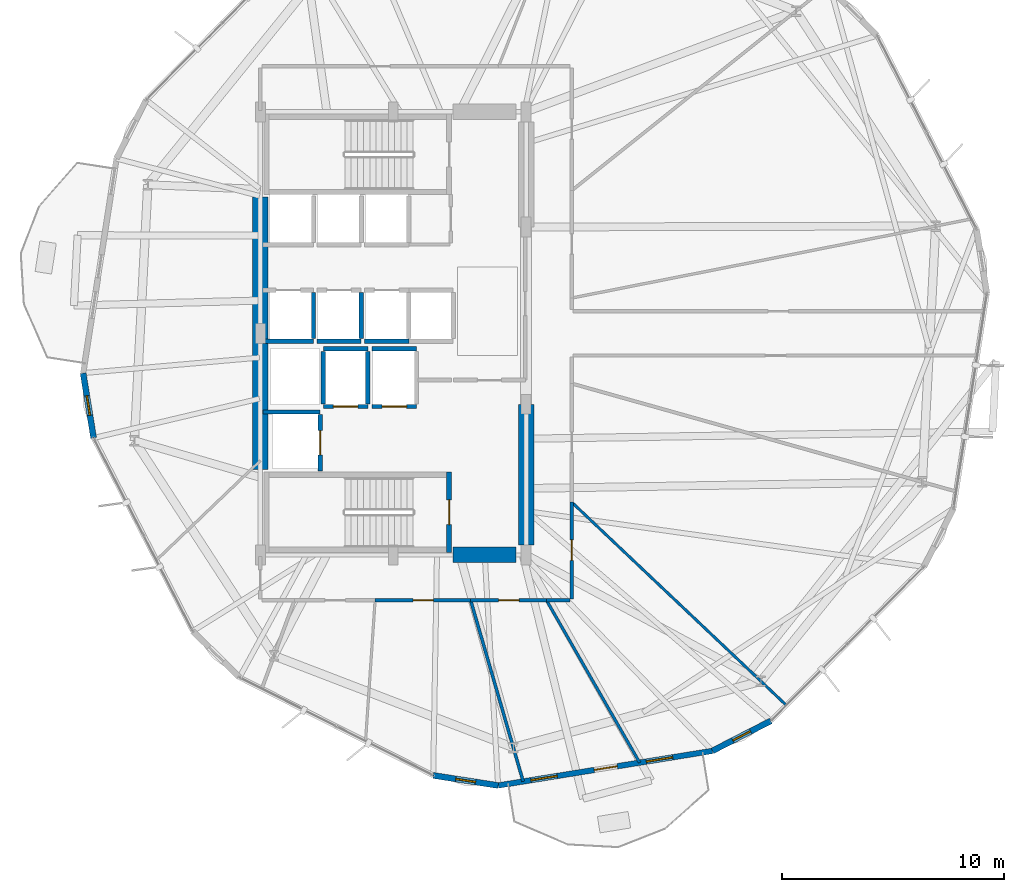
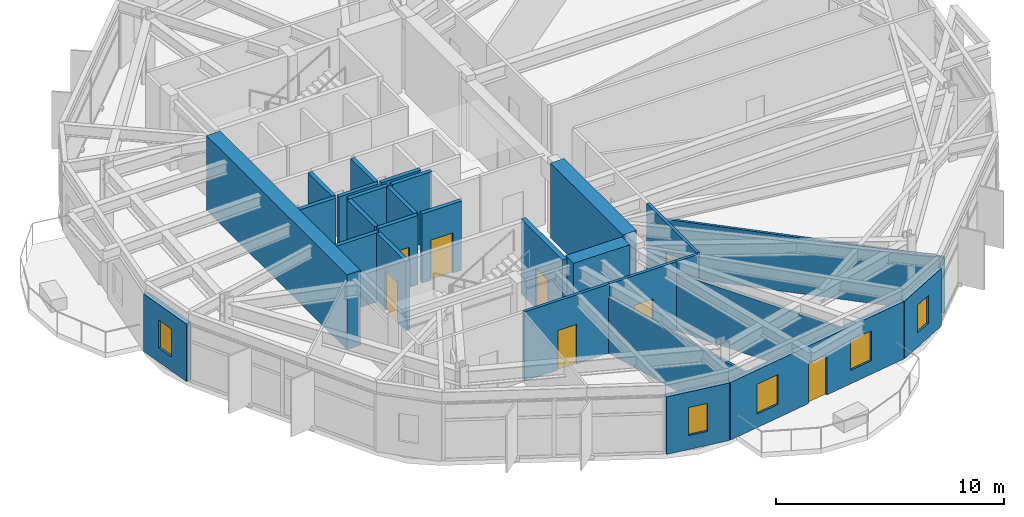
# One storey, part 18 of 23: 28 walls, 8 doors, 5 windows, 13 openings.
"""IFC4 building model written with IfcOpenShell, lengths in metres."""

from ifc_helpers import new_model, si_unit, direction, frame, frame_2d, origin, place, context, subcontext, project, spatial, rectangle, extrude, material, layer, layer_set, type_object, element, fill, save


model = new_model("IFC4")

# Units and contexts
model_context = context("Model", 3, precision=1e-05, world=origin(), true_north=direction((0.0, 1.0)))
body_context = subcontext(model_context, "Body", "Model", "MODEL_VIEW")
ifc_project = project(units=[si_unit("LENGTHUNIT", "METRE"), si_unit("AREAUNIT", "SQUARE_METRE"), si_unit("VOLUMEUNIT", "CUBIC_METRE"), si_unit("PLANEANGLEUNIT", "RADIAN"), si_unit("MASSUNIT", "GRAM", prefix="KILO")], contexts=[model_context])

# Site, building, storey
site_placement = place(None, origin())
site = spatial("IfcSite", under=ifc_project, at=site_placement, CompositionType="ELEMENT")
building_placement = place(site_placement, origin())
building = spatial("IfcBuilding", under=site, at=building_placement, Name="Soratama Intermodal Tower", CompositionType="ELEMENT")
storey_placement = place(building_placement, frame((0.0, 0.0, 62.60009765625)))
storey = spatial("IfcBuildingStorey", under=building, at=storey_placement, Name="L14", CompositionType="ELEMENT", Elevation=62.60009765625)

# Wall, openings, door, windows
ifc_material_1 = material(Name="Concrete f'c 42 MPa", Category="concrete")
ifc_layer_1 = layer(ifc_material_1, 0.25)
ifc_layer_set_1 = layer_set([ifc_layer_1], Name="Concrete f'c 42 MPa")
wall_type_1 = type_object("IfcWallType", Name="EW-BAL-250", PredefinedType="SOLIDWALL", material=ifc_layer_set_1)
wall_1_placement = place(storey_placement, frame((43.33447265625, 4.59228515625, 0.0), z_axis=(0.0, 0.0, 1.0), x_axis=(0.987191297579, 0.159541035424, 0.0)))
wall_1 = element("IfcWall", 1, at=wall_1_placement, inside=storey, type_object=wall_type_1, Name="L14 Terrace Wall F08", PredefinedType="SOLIDWALL", context=body_context, shape_type="SweptSolid", body=[
    extrude(rectangle(XDim=9.7998046875, YDim=0.25, at=frame_2d((4.89990234375, 0.0))), origin(), (0.0, 0.0, 1.0), 3.078857421875),
])
opening_1_placement = place(wall_1_placement, frame((4.39990234375, 0.0, 0.0)))
opening_1 = element("IfcOpeningElement", 2, at=opening_1_placement, cuts=wall_1, Name="Opening ED-5", PredefinedType="OPENING", context=body_context, shape_type="SweptSolid", body=[
    extrude(rectangle(XDim=1.050048828125, YDim=2.14990234375, at=frame_2d((0.52490234375, 1.074951171875))), frame((0.0, 0.135009765625, 0.0), z_axis=(0.0, -1.0, 0.0), x_axis=(1.0, 0.0, 0.0)), (0.0, 0.0, 1.0), 0.27001953125),
])
opening_2_placement = place(wall_1_placement, frame((1.5, 0.0, 0.719970703125)))
opening_2 = element("IfcOpeningElement", 3, at=opening_2_placement, cuts=wall_1, Name="Opening WN-2", PredefinedType="OPENING", context=body_context, shape_type="SweptSolid", body=[
    extrude(rectangle(XDim=1.199951171875, YDim=1.60009765625, at=frame_2d((0.60009765625, 0.800048828125))), frame((0.0, 0.135009765625, 0.0), z_axis=(0.0, -1.0, 0.0), x_axis=(1.0, 0.0, 0.0)), (0.0, 0.0, 1.0), 0.27001953125),
])
opening_3_placement = place(wall_1_placement, frame((6.780029296875, 0.0, 0.719970703125)))
opening_3 = element("IfcOpeningElement", 4, at=opening_3_placement, cuts=wall_1, Name="Opening WN-2", PredefinedType="OPENING", context=body_context, shape_type="SweptSolid", body=[
    extrude(rectangle(XDim=1.199951171875, YDim=1.60009765625, at=frame_2d((0.60009765625, 0.800048828125))), frame((0.0, 0.135009765625, 0.0), z_axis=(0.0, -1.0, 0.0), x_axis=(1.0, 0.0, 0.0)), (0.0, 0.0, 1.0), 0.27001953125),
])
ifc_material_2 = material(Name="Double-glazed aluminium door", Category="aluminium")
door_type_1 = type_object("IfcDoorType", Name="DR-BAL-1050", OperationType="NOTDEFINED", PredefinedType="DOOR", material=ifc_material_2)
door_1_placement = place(opening_1_placement, origin())
door_1 = element("IfcDoor", 5, at=door_1_placement, inside=storey, type_object=door_type_1, Name="L14 Balcony Door F08", OperationType="SINGLE_SWING_RIGHT", OverallHeight=2.14990234375, OverallWidth=1.050048828125, PredefinedType="DOOR", context=body_context, shape_type="SweptSolid", body=[
    extrude(rectangle(XDim=1.050048828125, YDim=2.14990234375, at=frame_2d((0.52490234375, 1.074951171875))), frame((0.0, 0.02490234375, 0.0), z_axis=(0.0, -1.0, 0.0), x_axis=(1.0, 0.0, 0.0)), (0.0, 0.0, 1.0), 0.050048828125),
])
fill(opening_1, door_1)
ifc_material_3 = material(Name="Double-glazed aluminium window", Category="aluminium")
window_type_1 = type_object("IfcWindowType", Name="WN-FAC-1200", PartitioningType="SINGLE_PANEL", PredefinedType="WINDOW", material=ifc_material_3)
window_1_placement = place(opening_2_placement, origin())
window_1 = element("IfcWindow", 6, at=window_1_placement, inside=storey, type_object=window_type_1, Name="L14 Window A F08", OverallHeight=1.60009765625, OverallWidth=1.199951171875, PartitioningType="SINGLE_PANEL", PredefinedType="WINDOW", context=body_context, shape_type="SweptSolid", body=[
    extrude(rectangle(XDim=1.199951171875, YDim=1.60009765625, at=frame_2d((0.60009765625, 0.800048828125))), frame((0.0, 0.030029296875, 0.0), z_axis=(0.0, -1.0, 0.0), x_axis=(1.0, 0.0, 0.0)), (0.0, 0.0, 1.0), 0.06005859375),
])
fill(opening_2, window_1)
window_2_placement = place(opening_3_placement, origin())
window_2 = element("IfcWindow", 7, at=window_2_placement, inside=storey, type_object=window_type_1, Name="L14 Window B F08", OverallHeight=1.60009765625, OverallWidth=1.199951171875, PartitioningType="SINGLE_PANEL", PredefinedType="WINDOW", context=body_context, shape_type="SweptSolid", body=[
    extrude(rectangle(XDim=1.199951171875, YDim=1.60009765625, at=frame_2d((0.60009765625, 0.800048828125))), frame((0.0, 0.030029296875, 0.0), z_axis=(0.0, -1.0, 0.0), x_axis=(1.0, 0.0, 0.0)), (0.0, 0.0, 1.0), 0.06005859375),
])
fill(opening_3, window_2)

# Wall, opening, window
ifc_material_4 = material(Name="Concrete f'c 42 MPa", Category="concrete")
ifc_layer_2 = layer(ifc_material_4, 0.27001953125)
ifc_layer_set_2 = layer_set([ifc_layer_2], Name="Concrete f'c 42 MPa")
wall_type_2 = type_object("IfcWallType", Name="EW-CRN-270", PredefinedType="SOLIDWALL", material=ifc_layer_set_2)
wall_2_placement = place(storey_placement, frame((24.603271484375, 23.206298828125, 0.0), z_axis=(0.0, 0.0, 1.0), x_axis=(0.159485992922, -0.987200191482, 0.0)))
wall_2 = element("IfcWall", 8, at=wall_2_placement, inside=storey, type_object=wall_type_2, Name="L14 Corner Closure Wall 05", PredefinedType="SOLIDWALL", context=body_context, shape_type="SweptSolid", body=[
    extrude(rectangle(XDim=2.966796875, YDim=0.27001953125, at=frame_2d((1.4833984375, 0.0))), origin(), (0.0, 0.0, 1.0), 3.078857421875),
])
opening_4_placement = place(wall_2_placement, frame((1.033203125, 0.0, 0.75)))
opening_4 = element("IfcOpeningElement", 9, at=opening_4_placement, cuts=wall_2, Name="Opening WN-6", PredefinedType="OPENING", context=body_context, shape_type="SweptSolid", body=[
    extrude(rectangle(XDim=0.89990234375, YDim=1.5, at=frame_2d((0.449951171875, 0.75))), frame((0.0, 0.14501953125, 0.0), z_axis=(0.0, -1.0, 0.0), x_axis=(1.0, 0.0, 0.0)), (0.0, 0.0, 1.0), 0.2900390625),
])
ifc_material_5 = material(Name="Double-glazed aluminium window", Category="aluminium")
window_type_2 = type_object("IfcWindowType", Name="WN-FAC-900", PartitioningType="SINGLE_PANEL", PredefinedType="WINDOW", material=ifc_material_5)
window_3_placement = place(opening_4_placement, origin())
window_3 = element("IfcWindow", 10, at=window_3_placement, inside=storey, type_object=window_type_2, Name="L14 Corner Window 05", OverallHeight=1.5, OverallWidth=0.89990234375, PartitioningType="SINGLE_PANEL", PredefinedType="WINDOW", context=body_context, shape_type="SweptSolid", body=[
    extrude(rectangle(XDim=0.89990234375, YDim=1.5, at=frame_2d((0.449951171875, 0.75))), frame((0.0, 0.030029296875, 0.0), z_axis=(0.0, -1.0, 0.0), x_axis=(1.0, 0.0, 0.0)), (0.0, 0.0, 1.0), 0.06005859375),
])
fill(opening_4, window_3)

wall_3_placement = place(storey_placement, frame((40.403076171875, 5.047119140625, 0.0), z_axis=(0.0, 0.0, 1.0), x_axis=(0.988175838345, -0.153324859402, 0.0)))
wall_3 = element("IfcWall", 11, at=wall_3_placement, inside=storey, type_object=wall_type_2, Name="L14 Corner Closure Wall 07", PredefinedType="SOLIDWALL", context=body_context, shape_type="SweptSolid", body=[
    extrude(rectangle(XDim=2.966552734375, YDim=0.27001953125, at=frame_2d((1.4833984375, 0.0))), origin(), (0.0, 0.0, 1.0), 3.078857421875),
])
opening_5_placement = place(wall_3_placement, frame((1.033203125, 0.0, 0.75)))
opening_5 = element("IfcOpeningElement", 12, at=opening_5_placement, cuts=wall_3, Name="Opening WN-6", PredefinedType="OPENING", context=body_context, shape_type="SweptSolid", body=[
    extrude(rectangle(XDim=0.89990234375, YDim=1.5, at=frame_2d((0.449951171875, 0.75))), frame((0.0, 0.14501953125, 0.0), z_axis=(0.0, -1.0, 0.0), x_axis=(1.0, 0.0, 0.0)), (0.0, 0.0, 1.0), 0.2900390625),
])
window_4_placement = place(opening_5_placement, origin())
window_4 = element("IfcWindow", 13, at=window_4_placement, inside=storey, type_object=window_type_2, Name="L14 Corner Window 07", OverallHeight=1.5, OverallWidth=0.89990234375, PartitioningType="SINGLE_PANEL", PredefinedType="WINDOW", context=body_context, shape_type="SweptSolid", body=[
    extrude(rectangle(XDim=0.89990234375, YDim=1.5, at=frame_2d((0.449951171875, 0.75))), frame((0.0, 0.030029296875, 0.0), z_axis=(0.0, -1.0, 0.0), x_axis=(1.0, 0.0, 0.0)), (0.0, 0.0, 1.0), 0.06005859375),
])
fill(opening_5, window_4)

wall_4_placement = place(storey_placement, frame((53.0087890625, 6.15576171875, 0.0), z_axis=(0.0, 0.0, 1.0), x_axis=(0.889603167839, 0.456734281361, 0.0)))
wall_4 = element("IfcWall", 14, at=wall_4_placement, inside=storey, type_object=wall_type_2, Name="L14 Corner Closure Wall 08", PredefinedType="SOLIDWALL", context=body_context, shape_type="SweptSolid", body=[
    extrude(rectangle(XDim=2.966552734375, YDim=0.27001953125, at=frame_2d((1.4833984375, 0.0))), origin(), (0.0, 0.0, 1.0), 3.078857421875),
])
opening_6_placement = place(wall_4_placement, frame((1.033203125, 0.0, 0.75)))
opening_6 = element("IfcOpeningElement", 15, at=opening_6_placement, cuts=wall_4, Name="Opening WN-6", PredefinedType="OPENING", context=body_context, shape_type="SweptSolid", body=[
    extrude(rectangle(XDim=0.89990234375, YDim=1.5, at=frame_2d((0.449951171875, 0.75))), frame((0.0, 0.14501953125, 0.0), z_axis=(0.0, -1.0, 0.0), x_axis=(1.0, 0.0, 0.0)), (0.0, 0.0, 1.0), 0.2900390625),
])
window_5_placement = place(opening_6_placement, origin())
window_5 = element("IfcWindow", 16, at=window_5_placement, inside=storey, type_object=window_type_2, Name="L14 Corner Window 08", OverallHeight=1.5, OverallWidth=0.89990234375, PartitioningType="SINGLE_PANEL", PredefinedType="WINDOW", context=body_context, shape_type="SweptSolid", body=[
    extrude(rectangle(XDim=0.89990234375, YDim=1.5, at=frame_2d((0.449951171875, 0.75))), frame((0.0, 0.030029296875, 0.0), z_axis=(0.0, -1.0, 0.0), x_axis=(1.0, 0.0, 0.0)), (0.0, 0.0, 1.0), 0.06005859375),
])
fill(opening_6, window_5)

# Wall, opening, door
ifc_material_6 = material(Name="Fire-rated gypsum stud partition", Category="concrete")
ifc_layer_3 = layer(ifc_material_6, 0.14990234375)
ifc_layer_set_3 = layer_set([ifc_layer_3], Name="Fire-rated gypsum stud partition")
wall_type_3 = type_object("IfcWallType", Name="IW-PART-R150", PredefinedType="PARTITIONING", material=ifc_layer_set_3)
wall_5_placement = place(storey_placement, frame((46.64990234375, 17.385009765625, 0.0), z_axis=(0.0, 0.0, 1.0), x_axis=(0.0, -1.0, 0.0)))
wall_5 = element("IfcWall", 17, at=wall_5_placement, inside=storey, type_object=wall_type_3, Name="L14 Partition W-L14-TP017", PredefinedType="PARTITIONING", context=body_context, shape_type="SweptSolid", body=[
    extrude(rectangle(XDim=4.364990234375, YDim=0.14990234375, at=frame_2d((2.1826171875, 0.0))), origin(), (0.0, 0.0, 1.0), 3.699951171875),
])
opening_7_placement = place(wall_5_placement, frame((1.7080078125, 0.0, 0.0)))
opening_7 = element("IfcOpeningElement", 18, at=opening_7_placement, cuts=wall_5, Name="Opening ID-6", PredefinedType="OPENING", context=body_context, shape_type="SweptSolid", body=[
    extrude(rectangle(XDim=0.919921875, YDim=2.1201171875, at=frame_2d((0.4599609375, 1.06005859375))), frame((0.0, 0.0849609375, 0.0), z_axis=(0.0, -1.0, 0.0), x_axis=(1.0, 0.0, 0.0)), (0.0, 0.0, 1.0), 0.169921875),
])
ifc_material_7 = material(Name="Solid hardwood acoustic door", Category="wood")
door_type_2 = type_object("IfcDoorType", Name="DR-ROOM-920", OperationType="NOTDEFINED", PredefinedType="DOOR", material=ifc_material_7)
door_2_placement = place(opening_7_placement, origin())
door_2 = element("IfcDoor", 19, at=door_2_placement, inside=storey, type_object=door_type_2, Name="L14 Door D-L14-TP008", OperationType="SINGLE_SWING_LEFT", OverallHeight=2.1201171875, OverallWidth=0.919921875, PredefinedType="DOOR", context=body_context, shape_type="SweptSolid", body=[
    extrude(rectangle(XDim=0.919921875, YDim=2.1201171875, at=frame_2d((0.4599609375, 1.06005859375))), frame((0.0, 0.02490234375, 0.0), z_axis=(0.0, -1.0, 0.0), x_axis=(1.0, 0.0, 0.0)), (0.0, 0.0, 1.0), 0.050048828125),
])
fill(opening_7, door_2)

wall_6_placement = place(storey_placement, frame((42.093994140625, 12.949951171875, 0.0), z_axis=(0.0, 0.0, 1.0), x_axis=(-1.0, 0.0, 0.0)))
wall_6 = element("IfcWall", 20, at=wall_6_placement, inside=storey, type_object=wall_type_3, Name="L14 Partition W-L14-TP018", PredefinedType="PARTITIONING", context=body_context, shape_type="SweptSolid", body=[
    extrude(rectangle(XDim=4.31298828125, YDim=0.14990234375, at=frame_2d((2.156494140625, 0.0))), origin(), (0.0, 0.0, 1.0), 3.699951171875),
])
opening_8_placement = place(wall_6_placement, frame((1.681884765625, 0.0, 0.0)))
opening_8 = element("IfcOpeningElement", 21, at=opening_8_placement, cuts=wall_6, Name="Opening ID-6", PredefinedType="OPENING", context=body_context, shape_type="SweptSolid", body=[
    extrude(rectangle(XDim=0.919921875, YDim=2.1201171875, at=frame_2d((0.4599609375, 1.06005859375))), frame((0.0, 0.0849609375, 0.0), z_axis=(0.0, -1.0, 0.0), x_axis=(1.0, 0.0, 0.0)), (0.0, 0.0, 1.0), 0.169921875),
])
door_3_placement = place(opening_8_placement, origin())
door_3 = element("IfcDoor", 22, at=door_3_placement, inside=storey, type_object=door_type_2, Name="L14 Door D-L14-TP009", OperationType="SINGLE_SWING_RIGHT", OverallHeight=2.1201171875, OverallWidth=0.919921875, PredefinedType="DOOR", context=body_context, shape_type="SweptSolid", body=[
    extrude(rectangle(XDim=0.919921875, YDim=2.1201171875, at=frame_2d((0.4599609375, 1.06005859375))), frame((0.0, 0.02490234375, 0.0), z_axis=(0.0, -1.0, 0.0), x_axis=(1.0, 0.0, 0.0)), (0.0, 0.0, 1.0), 0.050048828125),
])
fill(opening_8, door_3)

wall_7_placement = place(storey_placement, frame((45.51708984375, 12.949951171875, 0.0), z_axis=(0.0, 0.0, 1.0), x_axis=(-1.0, 0.0, 0.0)))
wall_7 = element("IfcWall", 23, at=wall_7_placement, inside=storey, type_object=wall_type_3, Name="L14 Partition W-L14-TP021", PredefinedType="PARTITIONING", context=body_context, shape_type="SweptSolid", body=[
    extrude(rectangle(XDim=3.423095703125, YDim=0.14990234375, at=frame_2d((1.71142578125, 0.0))), origin(), (0.0, 0.0, 1.0), 3.699951171875),
])
opening_9_placement = place(wall_7_placement, frame((1.237060546875, 0.0, 0.0)))
opening_9 = element("IfcOpeningElement", 24, at=opening_9_placement, cuts=wall_7, Name="Opening ID-6", PredefinedType="OPENING", context=body_context, shape_type="SweptSolid", body=[
    extrude(rectangle(XDim=0.919921875, YDim=2.1201171875, at=frame_2d((0.4599609375, 1.06005859375))), frame((0.0, 0.0849609375, 0.0), z_axis=(0.0, -1.0, 0.0), x_axis=(1.0, 0.0, 0.0)), (0.0, 0.0, 1.0), 0.169921875),
])
door_4_placement = place(opening_9_placement, origin())
door_4 = element("IfcDoor", 25, at=door_4_placement, inside=storey, type_object=door_type_2, Name="L14 Door D-L14-TP011", OperationType="SINGLE_SWING_RIGHT", OverallHeight=2.1201171875, OverallWidth=0.919921875, PredefinedType="DOOR", context=body_context, shape_type="SweptSolid", body=[
    extrude(rectangle(XDim=0.919921875, YDim=2.1201171875, at=frame_2d((0.4599609375, 1.06005859375))), frame((0.0, 0.02490234375, 0.0), z_axis=(0.0, -1.0, 0.0), x_axis=(1.0, 0.0, 0.0)), (0.0, 0.0, 1.0), 0.050048828125),
])
fill(opening_9, door_4)

# Walls
wall_8_placement = place(storey_placement, frame((46.580078125, 12.949951171875, 0.0), z_axis=(0.0, 0.0, 1.0), x_axis=(-1.0, 0.0, 0.0)))
element("IfcWall", 26, at=wall_8_placement, inside=storey, type_object=wall_type_3, Name="L14 Partition W-L14-TP031", PredefinedType="PARTITIONING", context=body_context, shape_type="SweptSolid", body=[
    extrude(rectangle(XDim=1.06298828125, YDim=0.14990234375, at=frame_2d((0.531494140625, 0.0))), origin(), (0.0, 0.0, 1.0), 3.699951171875),
])
ifc_material_8 = material(Name="Fire-rated gypsum stud partition", Category="concrete")
ifc_layer_4 = layer(ifc_material_8, 0.1201171875)
ifc_layer_set_4 = layer_set([ifc_layer_4], Name="Fire-rated gypsum stud partition")
wall_type_4 = type_object("IfcWallType", Name="IW-PART-S120", PredefinedType="PARTITIONING", material=ifc_layer_set_4)
wall_9_placement = place(storey_placement, frame((46.64990234375, 17.385009765625, 0.0), z_axis=(0.0, 0.0, 1.0), x_axis=(0.726390421285, -0.68728229707, 0.0)))
element("IfcWall", 27, at=wall_9_placement, inside=storey, type_object=wall_type_4, Name="L14 Partition W-L14-TP006", PredefinedType="PARTITIONING", context=body_context, shape_type="SweptSolid", body=[
    extrude(rectangle(XDim=13.346923828125, YDim=0.1201171875, at=frame_2d((6.67333984375, 0.0))), origin(), (0.0, 0.0, 1.0), 2.994873046875),
])
ifc_material_9 = material(Name="Fire-rated gypsum stud partition", Category="concrete")
ifc_layer_5 = layer(ifc_material_9, 0.1298828125)
ifc_layer_set_5 = layer_set([ifc_layer_5], Name="Fire-rated gypsum stud partition")
wall_type_5 = type_object("IfcWallType", Name="IW-PART-S130", PredefinedType="PARTITIONING", material=ifc_layer_set_5)
wall_10_placement = place(storey_placement, frame((45.51708984375, 12.949951171875, 0.0), z_axis=(0.0, 0.0, 1.0), x_axis=(0.497846985281, -0.867264884131, 0.0)))
element("IfcWall", 28, at=wall_10_placement, inside=storey, type_object=wall_type_5, Name="L14 Partition W-L14-TP010", PredefinedType="PARTITIONING", context=body_context, shape_type="SweptSolid", body=[
    extrude(rectangle(XDim=8.446044921875, YDim=0.1298828125, at=frame_2d((4.22314453125, 0.0))), origin(), (0.0, 0.0, 1.0), 3.073974609375),
])
ifc_material_10 = material(Name="Fire-rated gypsum stud partition", Category="concrete")
ifc_layer_6 = layer(ifc_material_10, 0.139892578125)
ifc_layer_set_6 = layer_set([ifc_layer_6], Name="Fire-rated gypsum stud partition")
wall_type_6 = type_object("IfcWallType", Name="IW-PART-S140", PredefinedType="PARTITIONING", material=ifc_layer_set_6)
wall_11_placement = place(storey_placement, frame((42.093994140625, 12.949951171875, 0.0), z_axis=(0.0, 0.0, 1.0), x_axis=(0.278454336149, -0.960449469092, 0.0)))
element("IfcWall", 29, at=wall_11_placement, inside=storey, type_object=wall_type_6, Name="L14 Partition W-L14-TP009", PredefinedType="PARTITIONING", context=body_context, shape_type="SweptSolid", body=[
    extrude(rectangle(XDim=8.51171875, YDim=0.139892578125, at=frame_2d((4.255859375, 0.0))), origin(), (0.0, 0.0, 1.0), 2.994873046875),
])

# Wall, opening, door
ifc_material_11 = material(Name="Concrete f'c 42 MPa", Category="concrete")
ifc_layer_7 = layer(ifc_material_11, 0.199951171875)
ifc_layer_set_7 = layer_set([ifc_layer_7], Name="Concrete f'c 42 MPa")
wall_type_7 = type_object("IfcWallType", Name="IW-SHAFT-200", PredefinedType="SOLIDWALL", material=ifc_layer_set_7)
wall_12_placement = place(storey_placement, frame((35.449951171875, 21.699951171875, 0.0), z_axis=(0.0, 0.0, 1.0), x_axis=(1.0, 0.0, 0.0)))
wall_12 = element("IfcWall", 30, at=wall_12_placement, inside=storey, type_object=wall_type_7, Name="L14 FFL-1 Hoistway Wall S", PredefinedType="SOLIDWALL", context=body_context, shape_type="SweptSolid", body=[
    extrude(rectangle(XDim=2.0, YDim=0.199951171875, at=frame_2d((1.0, 0.0))), origin(), (0.0, 0.0, 1.0), 3.699951171875),
])
opening_10_placement = place(wall_12_placement, frame((0.449951171875, 0.0, 0.0)))
opening_10 = element("IfcOpeningElement", 31, at=opening_10_placement, cuts=wall_12, Name="Opening LD-1", PredefinedType="OPENING", context=body_context, shape_type="SweptSolid", body=[
    extrude(rectangle(XDim=1.10009765625, YDim=2.14990234375, at=frame_2d((0.550048828125, 1.074951171875))), frame((0.0, 0.10986328125, 0.0), z_axis=(0.0, -1.0, 0.0), x_axis=(1.0, 0.0, 0.0)), (0.0, 0.0, 1.0), 0.219970703125),
])
ifc_material_12 = material(Name="Steel fire door", Category="steel")
door_type_3 = type_object("IfcDoorType", Name="DR-LIFT-SLIDE", OperationType="NOTDEFINED", PredefinedType="DOOR", material=ifc_material_12)
door_5_placement = place(opening_10_placement, origin())
door_5 = element("IfcDoor", 32, at=door_5_placement, inside=storey, type_object=door_type_3, Name="L14 FFL-1 Sliding Landing Door", OperationType="SLIDING_TO_LEFT", OverallHeight=2.14990234375, OverallWidth=1.10009765625, PredefinedType="DOOR", context=body_context, shape_type="SweptSolid", body=[
    extrude(rectangle(XDim=1.10009765625, YDim=2.14990234375, at=frame_2d((0.550048828125, 1.074951171875))), frame((0.0, 0.02490234375, 0.0), z_axis=(0.0, -1.0, 0.0), x_axis=(1.0, 0.0, 0.0)), (0.0, 0.0, 1.0), 0.050048828125),
])
fill(opening_10, door_5)

# Walls
wall_13_placement = place(storey_placement, frame((35.449951171875, 24.300048828125, 0.0), z_axis=(0.0, 0.0, 1.0), x_axis=(1.0, 0.0, 0.0)))
element("IfcWall", 33, at=wall_13_placement, inside=storey, type_object=wall_type_7, Name="L14 FFL-1 Hoistway Wall N", PredefinedType="SOLIDWALL", context=body_context, shape_type="SweptSolid", body=[
    extrude(rectangle(XDim=2.0, YDim=0.199951171875, at=frame_2d((1.0, 0.0))), origin(), (0.0, 0.0, 1.0), 3.699951171875),
])
for number, where, z_axis, x_axis, name in (
    (34, (35.449951171875, 21.81005859375, 0.0), (0.0, 0.0, 1.0), (0.0, 1.0, 0.0), "L14 FFL-1 Hoistway Wall W"),
    (35, (37.449951171875, 21.81005859375, 0.0), (0.0, 0.0, 1.0), (0.0, 1.0, 0.0), "L14 FFL-1 Hoistway Wall E"),
):
    element("IfcWall", number, at=place(storey_placement, frame(where, z_axis=z_axis, x_axis=x_axis)), inside=storey, type_object=wall_type_7, Name=name, PredefinedType="SOLIDWALL", context=body_context, shape_type="SweptSolid", body=[
        extrude(rectangle(XDim=2.3798828125, YDim=0.199951171875, at=frame_2d((1.18994140625, 0.0))), origin(), (0.0, 0.0, 1.0), 3.699951171875),
    ])

# Wall, opening, door
wall_14_placement = place(storey_placement, frame((37.64990234375, 21.699951171875, 0.0), z_axis=(0.0, 0.0, 1.0), x_axis=(1.0, 0.0, 0.0)))
wall_14 = element("IfcWall", 36, at=wall_14_placement, inside=storey, type_object=wall_type_7, Name="L14 FFL-2 Hoistway Wall S", PredefinedType="SOLIDWALL", context=body_context, shape_type="SweptSolid", body=[
    extrude(rectangle(XDim=2.0, YDim=0.199951171875, at=frame_2d((1.0, 0.0))), origin(), (0.0, 0.0, 1.0), 3.699951171875),
])
opening_11_placement = place(wall_14_placement, frame((0.449951171875, 0.0, 0.0)))
opening_11 = element("IfcOpeningElement", 37, at=opening_11_placement, cuts=wall_14, Name="Opening LD-1", PredefinedType="OPENING", context=body_context, shape_type="SweptSolid", body=[
    extrude(rectangle(XDim=1.10009765625, YDim=2.14990234375, at=frame_2d((0.550048828125, 1.074951171875))), frame((0.0, 0.10986328125, 0.0), z_axis=(0.0, -1.0, 0.0), x_axis=(1.0, 0.0, 0.0)), (0.0, 0.0, 1.0), 0.219970703125),
])
door_6_placement = place(opening_11_placement, origin())
door_6 = element("IfcDoor", 38, at=door_6_placement, inside=storey, type_object=door_type_3, Name="L14 FFL-2 Sliding Landing Door", OperationType="SLIDING_TO_LEFT", OverallHeight=2.14990234375, OverallWidth=1.10009765625, PredefinedType="DOOR", context=body_context, shape_type="SweptSolid", body=[
    extrude(rectangle(XDim=1.10009765625, YDim=2.14990234375, at=frame_2d((0.550048828125, 1.074951171875))), frame((0.0, 0.02490234375, 0.0), z_axis=(0.0, -1.0, 0.0), x_axis=(1.0, 0.0, 0.0)), (0.0, 0.0, 1.0), 0.050048828125),
])
fill(opening_11, door_6)

# Walls
wall_15_placement = place(storey_placement, frame((37.64990234375, 24.300048828125, 0.0), z_axis=(0.0, 0.0, 1.0), x_axis=(1.0, 0.0, 0.0)))
element("IfcWall", 39, at=wall_15_placement, inside=storey, type_object=wall_type_7, Name="L14 FFL-2 Hoistway Wall N", PredefinedType="SOLIDWALL", context=body_context, shape_type="SweptSolid", body=[
    extrude(rectangle(XDim=2.0, YDim=0.199951171875, at=frame_2d((1.0, 0.0))), origin(), (0.0, 0.0, 1.0), 3.699951171875),
])
wall_16_placement = place(storey_placement, frame((32.719970703125, 21.449951171875, 0.0), z_axis=(0.0, 0.0, 1.0), x_axis=(1.0, 0.0, 0.0)))
element("IfcWall", 40, at=wall_16_placement, inside=storey, type_object=wall_type_7, Name="L14 SVL-1 Hoistway Wall N", PredefinedType="SOLIDWALL", context=body_context, shape_type="SweptSolid", body=[
    extrude(rectangle(XDim=2.580078125, YDim=0.199951171875, at=frame_2d((1.2900390625, 0.0))), origin(), (0.0, 0.0, 1.0), 3.699951171875),
])

# Wall, opening, door
wall_17_placement = place(storey_placement, frame((35.300048828125, 18.7900390625, 0.0), z_axis=(0.0, 0.0, 1.0), x_axis=(0.0, 1.0, 0.0)))
wall_17 = element("IfcWall", 41, at=wall_17_placement, inside=storey, type_object=wall_type_7, Name="L14 SVL-1 Hoistway Wall E", PredefinedType="SOLIDWALL", context=body_context, shape_type="SweptSolid", body=[
    extrude(rectangle(XDim=2.550048828125, YDim=0.199951171875, at=frame_2d((1.27490234375, 0.0))), origin(), (0.0, 0.0, 1.0), 3.699951171875),
])
opening_12_placement = place(wall_17_placement, frame((0.72509765625, 0.0, 0.0)))
opening_12 = element("IfcOpeningElement", 42, at=opening_12_placement, cuts=wall_17, Name="Opening LD-1", PredefinedType="OPENING", context=body_context, shape_type="SweptSolid", body=[
    extrude(rectangle(XDim=1.10009765625, YDim=2.14990234375, at=frame_2d((0.550048828125, 1.074951171875))), frame((0.0, 0.10986328125, 0.0), z_axis=(0.0, -1.0, 0.0), x_axis=(1.0, 0.0, 0.0)), (0.0, 0.0, 1.0), 0.219970703125),
])
door_7_placement = place(opening_12_placement, origin())
door_7 = element("IfcDoor", 43, at=door_7_placement, inside=storey, type_object=door_type_3, Name="L14 SVL-1 Sliding Landing Door", OperationType="SLIDING_TO_LEFT", OverallHeight=2.14990234375, OverallWidth=1.10009765625, PredefinedType="DOOR", context=body_context, shape_type="SweptSolid", body=[
    extrude(rectangle(XDim=1.10009765625, YDim=2.14990234375, at=frame_2d((0.550048828125, 1.074951171875))), frame((0.0, 0.02490234375, 0.0), z_axis=(0.0, -1.0, 0.0), x_axis=(1.0, 0.0, 0.0)), (0.0, 0.0, 1.0), 0.050048828125),
])
fill(opening_12, door_7)

# Walls
wall_18_placement = place(storey_placement, frame((32.719970703125, 24.64990234375, 0.0), z_axis=(0.0, 0.0, 1.0), x_axis=(1.0, 0.0, 0.0)))
element("IfcWall", 44, at=wall_18_placement, inside=storey, type_object=wall_type_7, Name="L14 PL-L1 Hoistway Wall S", PredefinedType="SOLIDWALL", context=body_context, shape_type="SweptSolid", body=[
    extrude(rectangle(XDim=2.280029296875, YDim=0.199951171875, at=frame_2d((1.14013671875, 0.0))), origin(), (0.0, 0.0, 1.0), 3.699951171875),
])
wall_19_placement = place(storey_placement, frame((35.0, 24.760009765625, 0.0), z_axis=(0.0, 0.0, 1.0), x_axis=(0.0, 1.0, 0.0)))
element("IfcWall", 45, at=wall_19_placement, inside=storey, type_object=wall_type_7, Name="L14 PL-L1 Hoistway Wall E", PredefinedType="SOLIDWALL", context=body_context, shape_type="SweptSolid", body=[
    extrude(rectangle(XDim=2.080078125, YDim=0.199951171875, at=frame_2d((1.0400390625, 0.0))), origin(), (0.0, 0.0, 1.0), 3.699951171875),
])
wall_20_placement = place(storey_placement, frame((35.14990234375, 24.64990234375, 0.0), z_axis=(0.0, 0.0, 1.0), x_axis=(1.0, 0.0, 0.0)))
element("IfcWall", 46, at=wall_20_placement, inside=storey, type_object=wall_type_7, Name="L14 PL-L2 Hoistway Wall S", PredefinedType="SOLIDWALL", context=body_context, shape_type="SweptSolid", body=[
    extrude(rectangle(XDim=2.0, YDim=0.199951171875, at=frame_2d((1.0, 0.0))), origin(), (0.0, 0.0, 1.0), 3.699951171875),
])
wall_21_placement = place(storey_placement, frame((37.14990234375, 24.760009765625, 0.0), z_axis=(0.0, 0.0, 1.0), x_axis=(0.0, 1.0, 0.0)))
element("IfcWall", 47, at=wall_21_placement, inside=storey, type_object=wall_type_7, Name="L14 PL-L2 Hoistway Wall E", PredefinedType="SOLIDWALL", context=body_context, shape_type="SweptSolid", body=[
    extrude(rectangle(XDim=2.080078125, YDim=0.199951171875, at=frame_2d((1.0400390625, 0.0))), origin(), (0.0, 0.0, 1.0), 3.699951171875),
])
wall_22_placement = place(storey_placement, frame((37.300048828125, 24.64990234375, 0.0), z_axis=(0.0, 0.0, 1.0), x_axis=(1.0, 0.0, 0.0)))
element("IfcWall", 48, at=wall_22_placement, inside=storey, type_object=wall_type_7, Name="L14 PL-L3 Hoistway Wall S", PredefinedType="SOLIDWALL", context=body_context, shape_type="SweptSolid", body=[
    extrude(rectangle(XDim=2.0, YDim=0.199951171875, at=frame_2d((1.0, 0.0))), origin(), (0.0, 0.0, 1.0), 3.699951171875),
])
ifc_material_13 = material(Name="Concrete f'c 56 MPa", Category="concrete")
ifc_layer_8 = layer(ifc_material_13, 0.699951171875)
ifc_layer_set_8 = layer_set([ifc_layer_8], Name="Concrete f'c 56 MPa")
wall_type_8 = type_object("IfcWallType", Name="SW-CORE-700", PredefinedType="SHEAR", material=ifc_layer_set_8)
wall_23_placement = place(storey_placement, frame((32.60009765625, 18.85009765625, 0.0), z_axis=(0.0, 0.0, 1.0), x_axis=(0.0, 1.0, 0.0)))
element("IfcWall", 49, at=wall_23_placement, inside=storey, type_object=wall_type_8, Name="L14 Core Shear Wall CW-WMID", PredefinedType="SHEAR", context=body_context, shape_type="SweptSolid", body=[
    extrude(rectangle(XDim=12.2998046875, YDim=0.699951171875, at=frame_2d((6.14990234375, 0.0))), origin(), (0.0, 0.0, 1.0), 4.0),
])
wall_24_placement = place(storey_placement, frame((41.300048828125, 15.0, 0.0), z_axis=(0.0, 0.0, 1.0), x_axis=(1.0, 0.0, 0.0)))
element("IfcWall", 50, at=wall_24_placement, inside=storey, type_object=wall_type_8, Name="L14 Core Shear Wall CW-SE", PredefinedType="SHEAR", context=body_context, shape_type="SweptSolid", body=[
    extrude(rectangle(XDim=2.849853515625, YDim=0.699951171875, at=frame_2d((1.4248046875, 0.0))), origin(), (0.0, 0.0, 1.0), 4.0),
])
wall_25_placement = place(storey_placement, frame((44.60009765625, 15.449951171875, 0.0), z_axis=(0.0, 0.0, 1.0), x_axis=(0.0, 1.0, 0.0)))
element("IfcWall", 51, at=wall_25_placement, inside=storey, type_object=wall_type_8, Name="L14 Core Shear Wall CW-ES", PredefinedType="SHEAR", context=body_context, shape_type="SweptSolid", body=[
    extrude(rectangle(XDim=6.35009765625, YDim=0.699951171875, at=frame_2d((3.175048828125, 0.0))), origin(), (0.0, 0.0, 1.0), 4.0),
])

# Wall, opening, door
ifc_material_14 = material(Name="Concrete f'c 56 MPa", Category="concrete")
ifc_layer_9 = layer(ifc_material_14, 0.239990234375)
ifc_layer_set_9 = layer_set([ifc_layer_9], Name="Concrete f'c 56 MPa")
wall_type_9 = type_object("IfcWallType", Name="SW-STAIR-240", PredefinedType="SHEAR", material=ifc_layer_set_9)
wall_26_placement = place(storey_placement, frame((41.1201171875, 15.110107421875, 0.0), z_axis=(0.0, 0.0, 1.0), x_axis=(0.0, 1.0, 0.0)))
wall_26 = element("IfcWall", 52, at=wall_26_placement, inside=storey, type_object=wall_type_9, Name="L14 ST-1 Shaft Shear Wall E", PredefinedType="SHEAR", context=body_context, shape_type="SweptSolid", body=[
    extrude(rectangle(XDim=3.6298828125, YDim=0.239990234375, at=frame_2d((1.81494140625, 0.0))), origin(), (0.0, 0.0, 1.0), 4.0),
])
opening_13_placement = place(wall_26_placement, frame((1.2548828125, 0.0, 0.0)))
opening_13 = element("IfcOpeningElement", 53, at=opening_13_placement, cuts=wall_26, Name="Opening SD-1", PredefinedType="OPENING", context=body_context, shape_type="SweptSolid", body=[
    extrude(rectangle(XDim=1.1201171875, YDim=2.14990234375, at=frame_2d((0.56005859375, 1.074951171875))), frame((0.0, 0.1298828125, 0.0), z_axis=(0.0, -1.0, 0.0), x_axis=(1.0, 0.0, 0.0)), (0.0, 0.0, 1.0), 0.260009765625),
])
ifc_material_15 = material(Name="Steel fire door", Category="steel")
door_type_4 = type_object("IfcDoorType", Name="DR-STAIR-FD90", OperationType="NOTDEFINED", PredefinedType="DOOR", material=ifc_material_15)
door_8_placement = place(opening_13_placement, origin())
door_8 = element("IfcDoor", 54, at=door_8_placement, inside=storey, type_object=door_type_4, Name="L14 ST-1 Exit Stair Door", OperationType="SINGLE_SWING_LEFT", OverallHeight=2.14990234375, OverallWidth=1.1201171875, PredefinedType="DOOR", context=body_context, shape_type="SweptSolid", body=[
    extrude(rectangle(XDim=1.1201171875, YDim=2.14990234375, at=frame_2d((0.56005859375, 1.074951171875))), frame((0.0, 0.02490234375, 0.0), z_axis=(0.0, -1.0, 0.0), x_axis=(1.0, 0.0, 0.0)), (0.0, 0.0, 1.0), 0.050048828125),
])
fill(opening_13, door_8)

save(model, "model.ifc")
